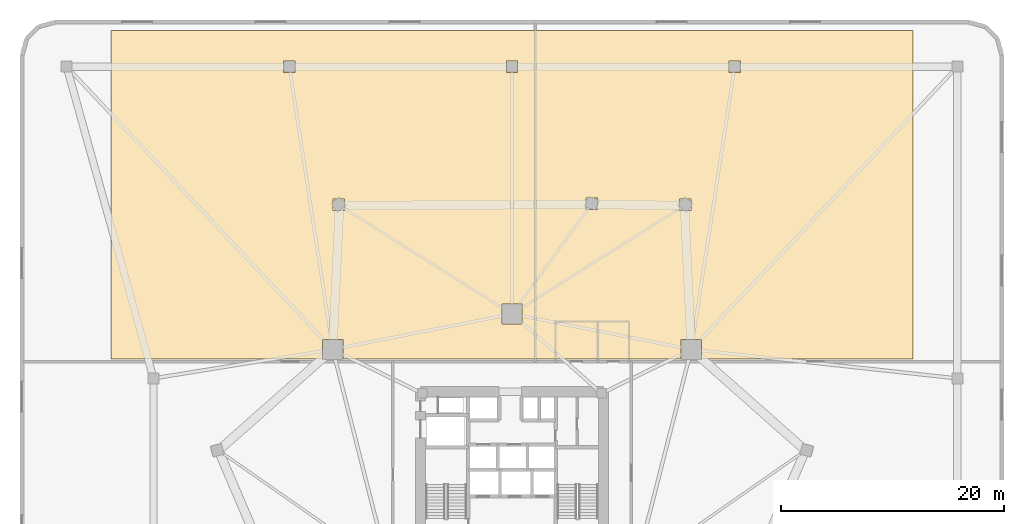
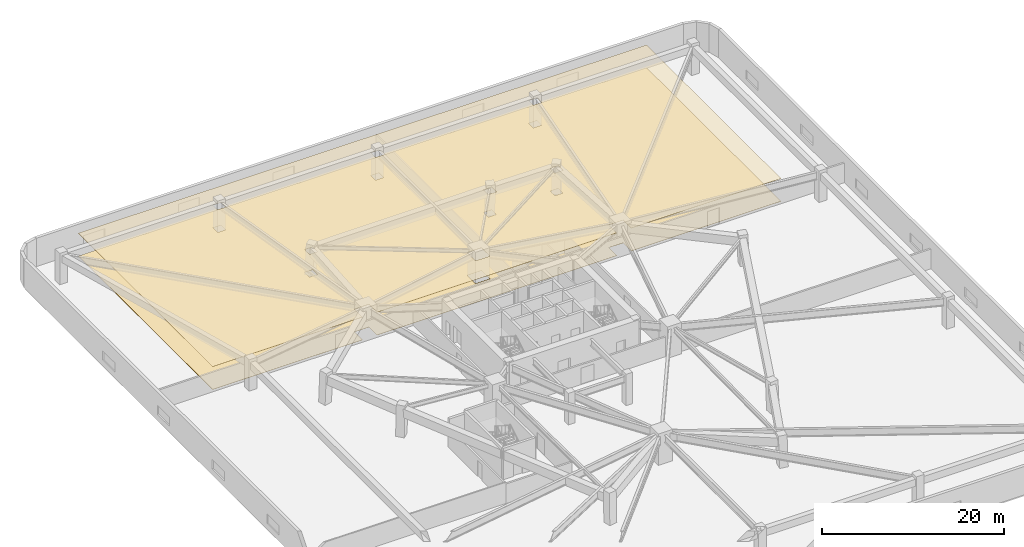
# One storey, part 10 of 10: 2 coverings.
"""IFC4 building model written with IfcOpenShell, lengths in metres."""

import ifcopenshell
import ifcopenshell.guid

model = None  # the IFC model being written
_history = None  # IfcOwnerHistory: only IFC2X3 demands one
_inside = {}  # id of a spatial element -> (the spatial element, [elements in it])
_under = {}  # id of a project, library or spatial element -> (it, [spatial elements below it])
_declared = {}  # id of a project -> (the project, [libraries it declares])
_typed = {}  # id of a type object -> (the type object, [elements of that type])
_made_of = {}  # id of a material, layer set ... -> (it, [elements and type objects made of it])


def new_model(schema):
    """Start an empty IFC model of exactly this schema.

    Asked for "IFC4X3", IfcOpenShell would pick the latest addendum, in which some entities
    have other attributes; the version numbers below select the first issue.
    IFC2X3 requires an IfcOwnerHistory on every rooted entity: one is made here for all.
    """
    global model, _history
    if schema == "IFC4X3":
        model = ifcopenshell.file(schema_version=(4, 3, 0, 0))
    else:
        model = ifcopenshell.file(schema=schema)
    _inside.clear()
    _under.clear()
    _declared.clear()
    _typed.clear()
    _made_of.clear()
    _history = None
    if model.schema == "IFC2X3":
        org = make("IfcOrganization", Name="unknown")
        user = make(
            "IfcPersonAndOrganization",
            ThePerson=make("IfcPerson", FamilyName="unknown"),
            TheOrganization=org,
        )
        app = make(
            "IfcApplication",
            ApplicationDeveloper=org,
            Version="unknown",
            ApplicationFullName="unknown",
            ApplicationIdentifier="unknown",
        )
        _history = make(
            "IfcOwnerHistory",
            OwningUser=user,
            OwningApplication=app,
            ChangeAction="ADDED",
            CreationDate=0,
        )
    return model


def make(cls, **values):
    """One entity of the class cls with the attributes given. An attribute that is None is left unset."""
    return model.create_entity(
        cls, **{name: value for name, value in values.items() if value is not None}
    )


def rooted(cls, **values):
    """An entity with a GlobalId (a new one), such as an element, a storey or a relation."""
    return make(cls, GlobalId=ifcopenshell.guid.new(), OwnerHistory=_history, **values)


def si_unit(unit_type, name, prefix=None):
    """IfcSIUnit, for example si_unit("LENGTHUNIT", "METRE", prefix="MILLI")."""
    return make("IfcSIUnit", UnitType=unit_type, Prefix=prefix, Name=name)


def assignment(units):
    """IfcUnitAssignment: the units of a project."""
    return None if units is None else make("IfcUnitAssignment", Units=units)


def point(xyz):
    """IfcCartesianPoint."""
    return None if xyz is None else make("IfcCartesianPoint", Coordinates=xyz)


def direction(xyz):
    """IfcDirection."""
    return None if xyz is None else make("IfcDirection", DirectionRatios=xyz)


def frame(location, z_axis=None, x_axis=None):
    """IfcAxis2Placement3D, a coordinate frame: its origin and axes. An axis left out is left unset."""
    return make(
        "IfcAxis2Placement3D",
        Location=point(location),
        Axis=direction(z_axis),
        RefDirection=direction(x_axis),
    )


def origin():
    """The frame at (0, 0, 0) with its axes left unset."""
    return frame((0.0, 0.0, 0.0))


def place(relative_to, where):
    """IfcLocalPlacement: puts the frame where relative to a parent placement (None: the world)."""
    return make(
        "IfcLocalPlacement", PlacementRelTo=relative_to, RelativePlacement=where
    )


def context(
    kind, dimensions, precision=None, world=None, true_north=None, identifier=None
):
    """IfcGeometricRepresentationContext, for example the 3D "Model" context."""
    return make(
        "IfcGeometricRepresentationContext",
        ContextIdentifier=identifier,
        ContextType=kind,
        CoordinateSpaceDimension=dimensions,
        Precision=precision,
        WorldCoordinateSystem=world,
        TrueNorth=true_north,
    )


def subcontext(parent, identifier, kind, view, scale=None):
    """IfcGeometricRepresentationSubContext, for example "Body" below "Model"."""
    return make(
        "IfcGeometricRepresentationSubContext",
        ContextIdentifier=identifier,
        ContextType=kind,
        ParentContext=parent,
        TargetScale=scale,
        TargetView=view,
    )


def project(units=None, contexts=None):
    """IfcProject with its units and contexts."""
    return rooted(
        "IfcProject",
        Name="project",
        RepresentationContexts=contexts,
        UnitsInContext=assignment(units),
    )


def spatial(cls, under=None, at=None, **own):
    """A site, building, storey or space (cls), placed at a placement, below another one or the project."""
    s = rooted(cls, ObjectPlacement=at, **own)
    if under is not None:
        _under.setdefault(under.id(), (under, []))[1].append(s)
    return s


def polyline(points):
    """IfcPolyline through the points."""
    return make("IfcPolyline", Points=[point(p) for p in points])


def outline(outer, holes=None, kind="AREA"):
    """IfcArbitraryClosedProfileDef: a profile drawn as a closed curve; with holes, ...WithVoids."""
    if holes is None:
        return make("IfcArbitraryClosedProfileDef", ProfileType=kind, OuterCurve=outer)
    return make(
        "IfcArbitraryProfileDefWithVoids",
        ProfileType=kind,
        OuterCurve=outer,
        InnerCurves=holes,
    )


def extrude(swept, where, along, depth):
    """IfcExtrudedAreaSolid: the profile swept, set in the frame where, extruded along a direction by depth."""
    return make(
        "IfcExtrudedAreaSolid",
        SweptArea=swept,
        Position=where,
        ExtrudedDirection=direction(along),
        Depth=depth,
    )


def shape(context_of_items, identifier, shape_type, items):
    """IfcShapeRepresentation: the items that make up one representation, for example the "Body"."""
    return make(
        "IfcShapeRepresentation",
        ContextOfItems=context_of_items,
        RepresentationIdentifier=identifier,
        RepresentationType=shape_type,
        Items=items,
    )


def material(Name=None, Category=None):
    """IfcMaterial."""
    return make("IfcMaterial", Name=Name, Category=Category)


def layer(
    of_material, thickness, ventilated=None, Name=None, Category=None, Priority=None
):
    """IfcMaterialLayer: one layer of a wall or slab, of a material (None: an air gap)."""
    return make(
        "IfcMaterialLayer",
        Material=of_material,
        LayerThickness=thickness,
        IsVentilated=ventilated,
        Name=Name,
        Category=Category,
        Priority=Priority,
    )


def layer_set(layers, Name=None):
    """IfcMaterialLayerSet."""
    return make("IfcMaterialLayerSet", MaterialLayers=layers, LayerSetName=Name)


def made_of(thing, what):
    """Note that an element or type object is made of a material, layer set ...; save() writes the relation."""
    if what is not None:
        _made_of.setdefault(what.id(), (what, []))[1].append(thing)
    return thing


def type_object(cls, material=None, **own):
    """A type object (cls), such as IfcWallType, which elements share."""
    return made_of(rooted(cls, **own), material)


def element(
    cls,
    number,
    at=None,
    inside=None,
    cuts=None,
    type_object=None,
    material=None,
    context=None,
    identifier="Body",
    shape_type=None,
    held_by="IfcProductDefinitionShape",
    body=None,
    shapes=None,
    **own,
):
    """One element of the class cls, such as IfcWall. Its Tag is "e" and its number.

    at: its placement. inside: the storey or other place that contains it. cuts: it is an
    opening in that element (IfcRelVoidsElement). A single representation is given by context,
    identifier, shape_type and body (its items); several are given by shapes. held_by: the class
    of the entity that holds the representations. save() writes the other relations.
    """
    e = rooted(cls, Tag="e%d" % number, ObjectPlacement=at, **own)
    if body is not None:
        shapes = [shape(context, identifier, shape_type, body)]
    if shapes is not None:
        e.Representation = make(held_by, Representations=shapes)
    if inside is not None:
        _inside.setdefault(inside.id(), (inside, []))[1].append(e)
    if cuts is not None:
        rooted(
            "IfcRelVoidsElement", RelatingBuildingElement=cuts, RelatedOpeningElement=e
        )
    if type_object is not None:
        _typed.setdefault(type_object.id(), (type_object, []))[1].append(e)
    return made_of(e, material)


def aggregate(whole, parts):
    """IfcRelAggregates: a whole, such as a stair, and the parts it consists of."""
    return rooted("IfcRelAggregates", RelatingObject=whole, RelatedObjects=parts)


def save(model, path):
    """Write the relations noted so far, then the file.

    IfcRelAggregates (storeys below a building ...), IfcRelContainedInSpatialStructure (elements
    in a storey), IfcRelDefinesByType, IfcRelAssociatesMaterial and IfcRelDeclares: one each for
    every whole, place, type object, material and project.
    """
    for whole, parts in _under.values():
        aggregate(whole, parts)
    for where, things in _inside.values():
        rooted(
            "IfcRelContainedInSpatialStructure",
            RelatedElements=things,
            RelatingStructure=where,
        )
    for kind, things in _typed.values():
        rooted("IfcRelDefinesByType", RelatedObjects=things, RelatingType=kind)
    for what, things in _made_of.values():
        rooted("IfcRelAssociatesMaterial", RelatedObjects=things, RelatingMaterial=what)
    for by, libraries in _declared.values():
        rooted("IfcRelDeclares", RelatingContext=by, RelatedDefinitions=libraries)
    model.write(path)


model = new_model("IFC4")

# Units and contexts
model_context = context("Model", 3, precision=1e-05, world=origin(), true_north=direction((0.0, 1.0)))
body_context = subcontext(model_context, "Body", "Model", "MODEL_VIEW")
ifc_project = project(units=[si_unit("LENGTHUNIT", "METRE"), si_unit("AREAUNIT", "SQUARE_METRE"), si_unit("VOLUMEUNIT", "CUBIC_METRE"), si_unit("PLANEANGLEUNIT", "RADIAN"), si_unit("MASSUNIT", "GRAM", prefix="KILO")], contexts=[model_context])

# Site, building, storey
site_placement = place(None, origin())
site = spatial("IfcSite", under=ifc_project, at=site_placement, CompositionType="ELEMENT")
building_placement = place(site_placement, origin())
building = spatial("IfcBuilding", under=site, at=building_placement, Name="Talyreon Biosciences Tower", CompositionType="ELEMENT")
storey_placement = place(building_placement, frame((0.0, 0.0, 18.60009765625)))
storey = spatial("IfcBuildingStorey", under=building, at=storey_placement, Name="L04", CompositionType="ELEMENT", Elevation=18.60009765625)

# Coverings
ifc_material_1 = material(Name="Cleanable acoustic mineral-fibre ceiling tile", Category="gypsum")
ifc_layer_1 = layer(ifc_material_1, 0.0400390625)
ifc_layer_set_1 = layer_set([ifc_layer_1], Name="Cleanable acoustic mineral-fibre ceiling tile")
covering_type_1 = type_object("IfcCoveringType", Name="AcousticCleanroomCeiling_40", PredefinedType="CEILING", material=ifc_layer_set_1)
covering_1_placement = place(storey_placement, frame((0.0, 0.0, 3.039794921875)))
element("IfcCovering", 1, at=covering_1_placement, inside=storey, type_object=covering_type_1, Name="L04 Acoustic Laboratory Ceiling", PredefinedType="CEILING", context=body_context, shape_type="SweptSolid", body=[
    extrude(outline(polyline([(102.0, 77.75), (83.017333984375, 77.75), (83.017333984375, 79.513671875), (81.1875, 79.513671875), (81.1875, 77.75), (50.8125, 77.75), (50.8125, 79.513671875), (48.982666015625, 79.513671875), (48.982666015625, 77.75), (30.0, 77.75), (30.0, 107.25), (102.0, 107.25), (102.0, 77.75)]), holes=[polyline([(65.0849609375, 80.873779296875), (66.9150390625, 80.873779296875), (66.9150390625, 82.703857421875), (65.0849609375, 82.703857421875), (65.0849609375, 80.873779296875)]), polyline([(50.969970703125, 92.1025390625), (49.93994140625, 92.1025390625), (49.93994140625, 91.072509765625), (50.969970703125, 91.072509765625), (50.969970703125, 92.1025390625)]), polyline([(45.485107421875, 104.514892578125), (45.485107421875, 103.485107421875), (46.514892578125, 103.485107421875), (46.514892578125, 104.514892578125), (45.485107421875, 104.514892578125)]), polyline([(82.06005859375, 92.1025390625), (81.030029296875, 92.1025390625), (81.030029296875, 91.072509765625), (82.06005859375, 91.072509765625), (82.06005859375, 92.1025390625)]), polyline([(73.689697265625, 92.20263671875), (72.65966796875, 92.20263671875), (72.65966796875, 91.172607421875), (73.689697265625, 91.172607421875), (73.689697265625, 92.20263671875)]), polyline([(85.485107421875, 104.514892578125), (85.485107421875, 103.485107421875), (86.514892578125, 103.485107421875), (86.514892578125, 104.514892578125), (85.485107421875, 104.514892578125)]), polyline([(65.485107421875, 104.514892578125), (65.485107421875, 103.485107421875), (66.514892578125, 103.485107421875), (66.514892578125, 104.514892578125), (65.485107421875, 104.514892578125)])]), origin(), (0.0, 0.0, 1.0), 0.0400390625),
])
ifc_material_2 = material(Name="Polished limestone terrazzo flooring", Category="masonry")
ifc_layer_2 = layer(ifc_material_2, 0.02490234375)
ifc_layer_set_2 = layer_set([ifc_layer_2], Name="Polished limestone terrazzo flooring")
covering_type_2 = type_object("IfcCoveringType", Name="TerrazzoPublicFlooring_25", PredefinedType="FLOORING", material=ifc_layer_set_2)
covering_2_placement = place(storey_placement, origin())
element("IfcCovering", 2, at=covering_2_placement, inside=storey, type_object=covering_type_2, Name="L04 Laboratory Floor Finish", PredefinedType="FLOORING", context=body_context, shape_type="SweptSolid", body=[
    extrude(outline(polyline([(102.0, 77.75), (83.017333984375, 77.75), (83.017333984375, 79.513671875), (81.1875, 79.513671875), (81.1875, 77.75), (50.8125, 77.75), (50.8125, 79.513671875), (48.982666015625, 79.513671875), (48.982666015625, 77.75), (30.0, 77.75), (30.0, 107.25), (102.0, 107.25), (102.0, 77.75)]), holes=[polyline([(65.0849609375, 80.873779296875), (66.9150390625, 80.873779296875), (66.9150390625, 82.703857421875), (65.0849609375, 82.703857421875), (65.0849609375, 80.873779296875)]), polyline([(50.969970703125, 92.1025390625), (49.93994140625, 92.1025390625), (49.93994140625, 91.072509765625), (50.969970703125, 91.072509765625), (50.969970703125, 92.1025390625)]), polyline([(45.485107421875, 104.514892578125), (45.485107421875, 103.485107421875), (46.514892578125, 103.485107421875), (46.514892578125, 104.514892578125), (45.485107421875, 104.514892578125)]), polyline([(82.06005859375, 92.1025390625), (81.030029296875, 92.1025390625), (81.030029296875, 91.072509765625), (82.06005859375, 91.072509765625), (82.06005859375, 92.1025390625)]), polyline([(73.689697265625, 92.20263671875), (72.65966796875, 92.20263671875), (72.65966796875, 91.172607421875), (73.689697265625, 91.172607421875), (73.689697265625, 92.20263671875)]), polyline([(85.485107421875, 104.514892578125), (85.485107421875, 103.485107421875), (86.514892578125, 103.485107421875), (86.514892578125, 104.514892578125), (85.485107421875, 104.514892578125)]), polyline([(65.485107421875, 104.514892578125), (65.485107421875, 103.485107421875), (66.514892578125, 103.485107421875), (66.514892578125, 104.514892578125), (65.485107421875, 104.514892578125)])]), origin(), (0.0, 0.0, 1.0), 0.02490234375),
])

save(model, "model.ifc")
